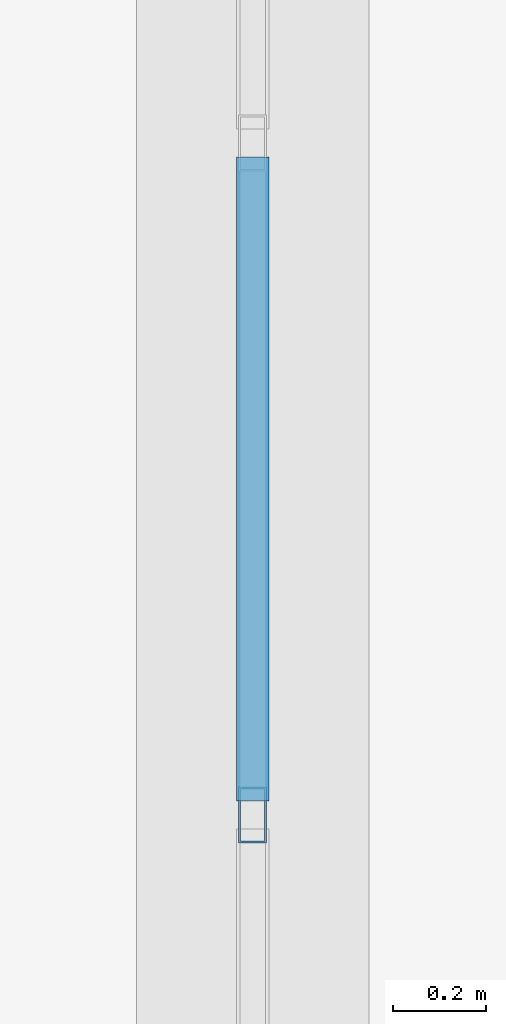
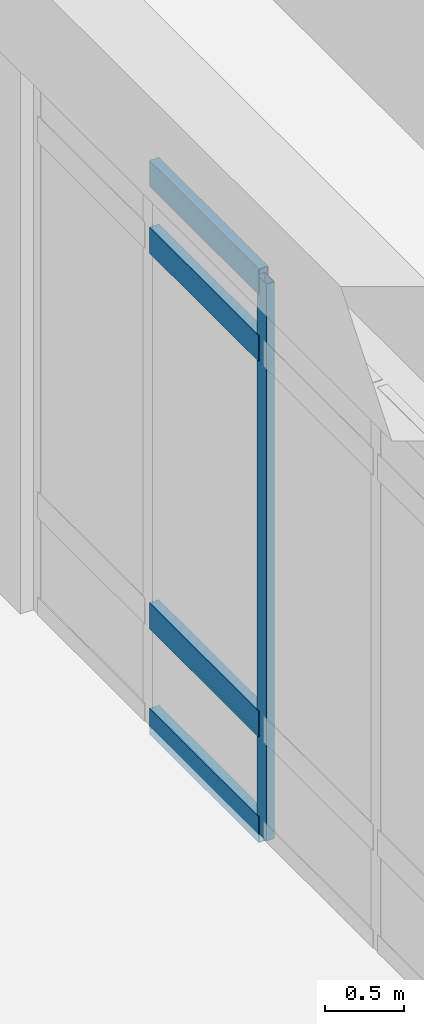
# One storey, part 38 of 138: 5 members, 1 element without a shape of its own.
"""IFC4 building model written with IfcOpenShell, lengths in metres."""

from ifc_helpers import new_model, si_unit, direction, frame, origin, origin_2d, place, context, subcontext, project, spatial, hollow_rectangle, extrude, material, layer, layer_set, material_profile, profile_set, type_object, element, aggregate, save


model = new_model("IFC4")

# Units and contexts
model_context = context("Model", 3, precision=1e-05, world=origin(), true_north=direction((0.0, 1.0)))
body_context = subcontext(model_context, "Body", "Model", "MODEL_VIEW")
ifc_project = project(units=[si_unit("LENGTHUNIT", "METRE"), si_unit("AREAUNIT", "SQUARE_METRE"), si_unit("VOLUMEUNIT", "CUBIC_METRE"), si_unit("PLANEANGLEUNIT", "RADIAN"), si_unit("MASSUNIT", "GRAM", prefix="KILO")], contexts=[model_context])

# Site, building, storey
site_placement = place(None, origin())
site = spatial("IfcSite", under=ifc_project, at=site_placement, CompositionType="ELEMENT")
building_placement = place(site_placement, origin())
building = spatial("IfcBuilding", under=site, at=building_placement, Name="Fikremerkos Civic Library", CompositionType="ELEMENT")
storey_placement = place(building_placement, origin())
storey = spatial("IfcBuildingStorey", under=building, at=storey_placement, Name="L00", CompositionType="ELEMENT", Elevation=0.0)

# Curtain wall, members
ifc_material = material(Name="Anodized aluminium Frame", Category="aluminium")
ifc_layer = layer(ifc_material, 0.159912109375, Name="Anodized aluminium Frame")
ifc_layer_set = layer_set([ifc_layer], Name="Anodized aluminium Frame")
curtain_wall_type = type_object("IfcCurtainWallType", Name="Unitised curtain wall CW-08 4500x4100", PredefinedType="USERDEFINED", material=ifc_layer_set)
curtain_wall_placement = place(storey_placement, origin())
curtain_wall = element("IfcCurtainWall", 1, at=curtain_wall_placement, inside=storey, type_object=curtain_wall_type, Name="Unitised curtain wall CW-08 L00 #26", ObjectType="UNITISED CURTAIN WALL", PredefinedType="USERDEFINED")
ifc_material_profile_1 = material_profile(ifc_material, hollow_rectangle(XDim=0.06005859375, YDim=0.1201171875, WallThickness=0.00390625, at=origin_2d()), Name="ALU 120x60x4")
ifc_profile_set_1 = profile_set([ifc_material_profile_1], Name="Anodized aluminium Frame")
member_type_1 = type_object("IfcMemberType", Name="Curtain mullion CWM-04 ALU 120x60x4", PredefinedType="MULLION", material=ifc_profile_set_1)
member_1_placement = place(storey_placement, frame((124.800048828125, 67.21240234375, 0.0), z_axis=(0.0, 0.0, 1.0), x_axis=(-1.0, 0.0, 0.0)))
member_1 = element("IfcMember", 2, at=member_1_placement, type_object=member_type_1, Name="CW-08 mullion 3", PredefinedType="MULLION", context=body_context, shape_type="SweptSolid", body=[
    extrude(hollow_rectangle(XDim=0.06005859375, YDim=0.1201171875, WallThickness=0.00390625, at=origin_2d()), origin(), (0.0, 0.0, 1.0), 4.300048828125),
])
ifc_material_profile_2 = material_profile(ifc_material, hollow_rectangle(XDim=0.070068359375, YDim=0.199951171875, WallThickness=0.0048828125, at=origin_2d()), Name="ALU 200x70x5")
ifc_profile_set_2 = profile_set([ifc_material_profile_2], Name="Anodized aluminium Frame")
member_type_2 = type_object("IfcMemberType", Name="Curtain transom CWT-04 ALU 200x70x5", PredefinedType="USERDEFINED", material=ifc_profile_set_2)
member_2_placement = place(storey_placement, frame((124.800048828125, 67.242431640625, 0.034912109375), z_axis=(0.0, 1.0, 0.0), x_axis=(-1.0, 0.0, 0.0)))
member_2 = element("IfcMember", 3, at=member_2_placement, type_object=member_type_2, Name="CW-08 transom 3.1", ObjectType="TRANSOM", PredefinedType="USERDEFINED", context=body_context, shape_type="SweptSolid", body=[
    extrude(hollow_rectangle(XDim=0.070068359375, YDim=0.199951171875, WallThickness=0.0048828125, at=origin_2d()), origin(), (0.0, 0.0, 1.0), 1.384033203125),
])
member_3_placement = place(storey_placement, frame((124.800048828125, 67.242431640625, 0.85009765625), z_axis=(0.0, 1.0, 0.0), x_axis=(-1.0, 0.0, 0.0)))
member_3 = element("IfcMember", 4, at=member_3_placement, type_object=member_type_2, Name="CW-08 transom 3.2", ObjectType="TRANSOM", PredefinedType="USERDEFINED", context=body_context, shape_type="SweptSolid", body=[
    extrude(hollow_rectangle(XDim=0.070068359375, YDim=0.199951171875, WallThickness=0.0048828125, at=origin_2d()), origin(), (0.0, 0.0, 1.0), 1.384033203125),
])
member_4_placement = place(storey_placement, frame((124.800048828125, 67.242431640625, 3.75), z_axis=(0.0, 1.0, 0.0), x_axis=(-1.0, 0.0, 0.0)))
member_4 = element("IfcMember", 5, at=member_4_placement, type_object=member_type_2, Name="CW-08 transom 3.3", ObjectType="TRANSOM", PredefinedType="USERDEFINED", context=body_context, shape_type="SweptSolid", body=[
    extrude(hollow_rectangle(XDim=0.070068359375, YDim=0.199951171875, WallThickness=0.0048828125, at=origin_2d()), origin(), (0.0, 0.0, 1.0), 1.384033203125),
])
member_5_placement = place(storey_placement, frame((124.800048828125, 67.242431640625, 4.264892578125), z_axis=(0.0, 1.0, 0.0), x_axis=(-1.0, 0.0, 0.0)))
member_5 = element("IfcMember", 6, at=member_5_placement, type_object=member_type_2, Name="CW-08 transom 3.4", ObjectType="TRANSOM", PredefinedType="USERDEFINED", context=body_context, shape_type="SweptSolid", body=[
    extrude(hollow_rectangle(XDim=0.070068359375, YDim=0.199951171875, WallThickness=0.0048828125, at=origin_2d()), origin(), (0.0, 0.0, 1.0), 1.384033203125),
])
aggregate(curtain_wall, [member_1, member_2, member_3, member_4, member_5])

save(model, "model.ifc")
